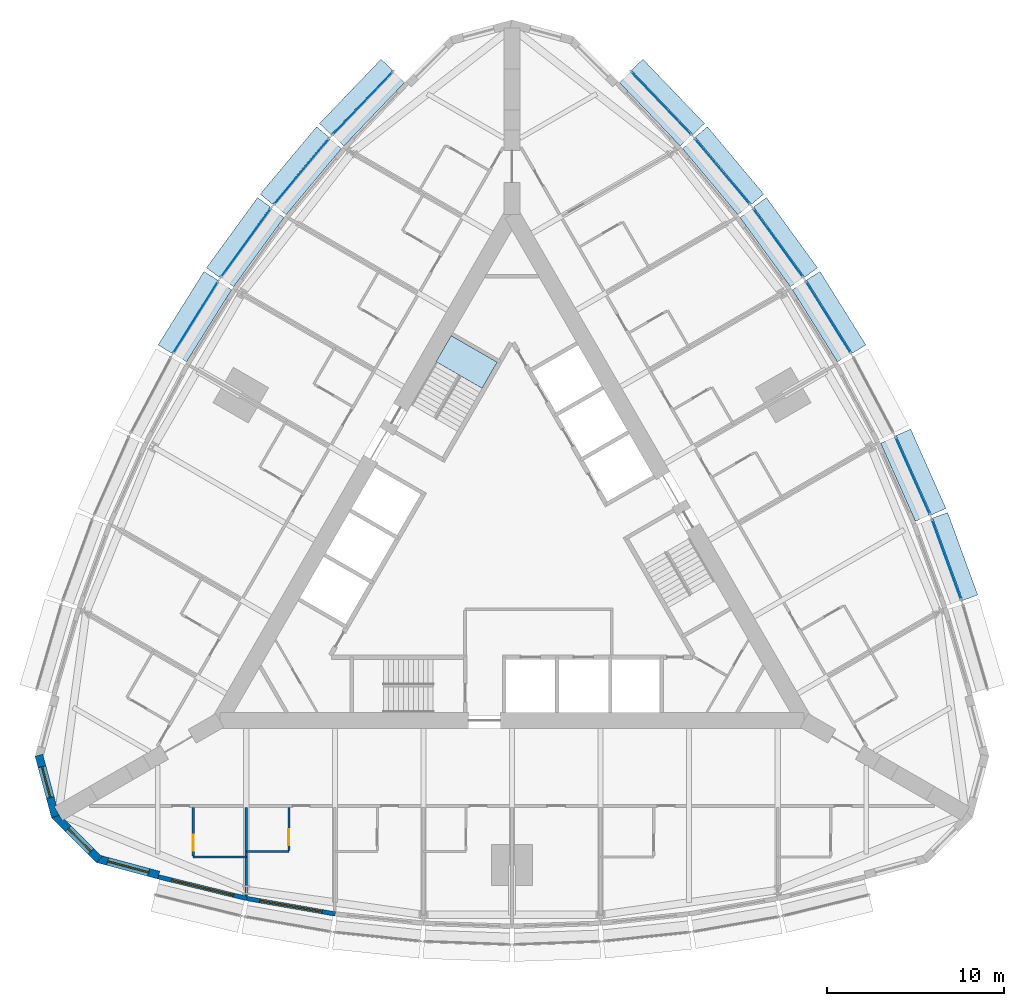
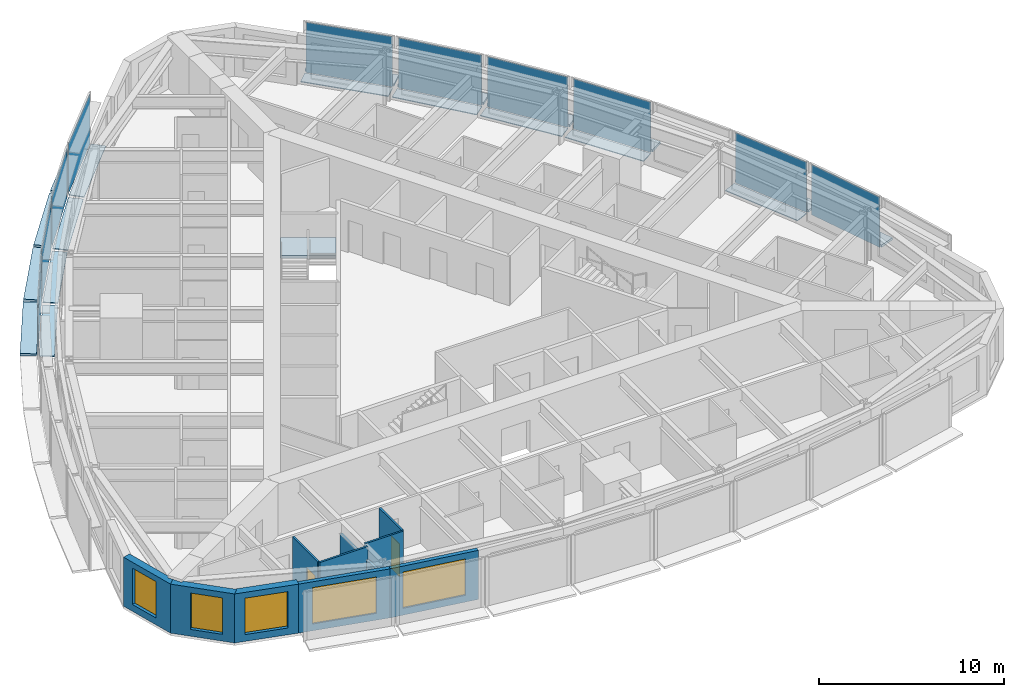
# One storey, part 7 of 14: 29 plates, 10 walls, 5 windows, 2 doors, 1 slab, 7 openings, 11 elements without a shape of their own.
"""IFC4 building model written with IfcOpenShell, lengths in metres."""

from ifc_helpers import new_model, si_unit, direction, frame, frame_2d, origin, origin_2d, place, context, subcontext, project, spatial, polyline, rectangle, outline, extrude, material, layer, layer_set, type_object, element, fill, aggregate, save


model = new_model("IFC4")

# Units and contexts
model_context = context("Model", 3, precision=1e-05, world=origin(), true_north=direction((0.0, 1.0)))
body_context = subcontext(model_context, "Body", "Model", "MODEL_VIEW")
ifc_project = project(units=[si_unit("LENGTHUNIT", "METRE"), si_unit("AREAUNIT", "SQUARE_METRE"), si_unit("VOLUMEUNIT", "CUBIC_METRE"), si_unit("PLANEANGLEUNIT", "RADIAN"), si_unit("MASSUNIT", "GRAM", prefix="KILO")], contexts=[model_context])

# Site, building, storey
site_placement = place(None, origin())
site = spatial("IfcSite", under=ifc_project, at=site_placement, CompositionType="ELEMENT")
building_placement = place(site_placement, origin())
building = spatial("IfcBuilding", under=site, at=building_placement, Name="Trikona Tower", CompositionType="ELEMENT")
storey_placement = place(building_placement, frame((0.0, 0.0, 121.5)))
storey = spatial("IfcBuildingStorey", under=building, at=storey_placement, Name="L31", CompositionType="ELEMENT", Elevation=121.5)

# Plates
ifc_material_1 = material(Name="Aluminium bar grating", Category="aluminium")
ifc_layer_1 = layer(ifc_material_1, 0.050048828125)
ifc_layer_set_1 = layer_set([ifc_layer_1], Name="Cavity catwalk grating")
plate_type_1 = type_object("IfcPlateType", Name="Cavity catwalk grating", PredefinedType="USERDEFINED", material=ifc_layer_set_1)
plate_1_placement = place(storey_placement, frame((22.175048828125, 4.092529296875, -0.0498046875), z_axis=(0.0, 0.0, 1.0), x_axis=(-0.406843467615, 0.913497888809, 0.0)))
element("IfcPlate", 1, at=plate_1_placement, inside=storey, type_object=plate_type_1, Name="Cavity catwalk L31-14", ObjectType="CATWALK GRATING", PredefinedType="USERDEFINED", context=body_context, shape_type="SweptSolid", body=[
    extrude(rectangle(XDim=4.827392578125, YDim=0.830078125, at=origin_2d()), origin(), (0.0, 0.0, 1.0), 0.050048828125),
])
plate_2_placement = place(storey_placement, frame((17.450927734375, 12.978759765625, -0.0498046875), z_axis=(0.0, 0.0, 1.0), x_axis=(-0.529994748414, 0.848000923734, 0.0)))
element("IfcPlate", 2, at=plate_2_placement, inside=storey, type_object=plate_type_1, Name="Cavity catwalk L31-16", ObjectType="CATWALK GRATING", PredefinedType="USERDEFINED", context=body_context, shape_type="SweptSolid", body=[
    extrude(rectangle(XDim=4.802978515625, YDim=0.830078125, at=origin_2d()), origin(), (0.0, 0.0, 1.0), 0.050048828125),
])
plate_3_placement = place(storey_placement, frame((14.6318359375, 17.157958984375, -0.0498046875), z_axis=(0.0, 0.0, 1.0), x_axis=(-0.587686407834, 0.809088799853, 0.0)))
element("IfcPlate", 3, at=plate_3_placement, inside=storey, type_object=plate_type_1, Name="Cavity catwalk L31-17", ObjectType="CATWALK GRATING", PredefinedType="USERDEFINED", context=body_context, shape_type="SweptSolid", body=[
    extrude(rectangle(XDim=4.827392578125, YDim=0.830078125, at=origin_2d()), origin(), (0.0, 0.0, 1.0), 0.050048828125),
])
plate_4_placement = place(storey_placement, frame((11.508056640625, 21.160400390625, -0.0498046875), z_axis=(0.0, 0.0, 1.0), x_axis=(-0.641807063101, 0.766866151133, 0.0)))
element("IfcPlate", 4, at=plate_4_placement, inside=storey, type_object=plate_type_1, Name="Cavity catwalk L31-18", ObjectType="CATWALK GRATING", PredefinedType="USERDEFINED", context=body_context, shape_type="SweptSolid", body=[
    extrude(rectangle(XDim=4.8759765625, YDim=0.830078125, at=origin_2d()), origin(), (0.0, 0.0, 1.0), 0.050048828125),
])
for number, where, z_axis, x_axis, name in (
    (5, (8.080078125, 24.986328125, -0.0498046875), (0.0, 0.0, 1.0), (-0.691723573819, 0.722162376078, 0.0), "Cavity catwalk L31-19"),
    (6, (-8.080078125, 24.986328125, -0.0498046875), (0.0, 0.0, 1.0), (-0.691723573819, -0.722162376078, 0.0), "Cavity catwalk L31-24"),
):
    element("IfcPlate", number, at=place(storey_placement, frame(where, z_axis=z_axis, x_axis=x_axis)), inside=storey, type_object=plate_type_1, Name=name, ObjectType="CATWALK GRATING", PredefinedType="USERDEFINED", context=body_context, shape_type="SweptSolid", body=[
        extrude(rectangle(XDim=4.947998046875, YDim=0.830078125, at=origin_2d()), origin(), (0.0, 0.0, 1.0), 0.050048828125),
    ])
plate_5_placement = place(storey_placement, frame((-11.508056640625, 21.160400390625, -0.0498046875), z_axis=(0.0, 0.0, 1.0), x_axis=(-0.641807063101, -0.766866151133, 0.0)))
element("IfcPlate", 7, at=plate_5_placement, inside=storey, type_object=plate_type_1, Name="Cavity catwalk L31-25", ObjectType="CATWALK GRATING", PredefinedType="USERDEFINED", context=body_context, shape_type="SweptSolid", body=[
    extrude(rectangle(XDim=4.8759765625, YDim=0.830078125, at=origin_2d()), origin(), (0.0, 0.0, 1.0), 0.050048828125),
])
plate_6_placement = place(storey_placement, frame((-14.6318359375, 17.157958984375, -0.0498046875), z_axis=(0.0, 0.0, 1.0), x_axis=(-0.587686407834, -0.809088799853, 0.0)))
element("IfcPlate", 8, at=plate_6_placement, inside=storey, type_object=plate_type_1, Name="Cavity catwalk L31-26", ObjectType="CATWALK GRATING", PredefinedType="USERDEFINED", context=body_context, shape_type="SweptSolid", body=[
    extrude(rectangle(XDim=4.827392578125, YDim=0.830078125, at=origin_2d()), origin(), (0.0, 0.0, 1.0), 0.050048828125),
])
plate_7_placement = place(storey_placement, frame((-17.450927734375, 12.978759765625, -0.0498046875), z_axis=(0.0, 0.0, 1.0), x_axis=(-0.529994748414, -0.848000923734, 0.0)))
element("IfcPlate", 9, at=plate_7_placement, inside=storey, type_object=plate_type_1, Name="Cavity catwalk L31-27", ObjectType="CATWALK GRATING", PredefinedType="USERDEFINED", context=body_context, shape_type="SweptSolid", body=[
    extrude(rectangle(XDim=4.802978515625, YDim=0.830078125, at=origin_2d()), origin(), (0.0, 0.0, 1.0), 0.050048828125),
])

# Curtain wall, plate
ifc_material_2 = material(Name="Aluminium curtain wall system", Category="aluminium")
curtain_wall_type = type_object("IfcCurtainWallType", Name="Curtain wall DS2", PredefinedType="NOTDEFINED", material=ifc_material_2)
curtain_wall_1_placement = place(storey_placement, origin())
curtain_wall_1 = element("IfcCurtainWall", 10, at=curtain_wall_1_placement, inside=storey, type_object=curtain_wall_type, Name="Curtain wall DS2 L31", PredefinedType="NOTDEFINED")
ifc_material_3 = material(Name="Laminated clear glass", Category="glass")
ifc_layer_2 = layer(ifc_material_3, 0.028076171875)
ifc_layer_set_2 = layer_set([ifc_layer_2], Name="Glass panel DS2")
plate_type_2 = type_object("IfcPlateType", Name="Glass panel DS2", PredefinedType="CURTAIN_PANEL", material=ifc_layer_set_2)
plate_8_placement = place(storey_placement, frame((24.53515625, -0.447509765625, 0.0), z_axis=(0.0, 0.0, 1.0), x_axis=(-0.343223420143, 0.939253790978, 0.0)))
plate_8 = element("IfcPlate", 11, at=plate_8_placement, type_object=plate_type_2, Name="CW-DS2 panel 1.1", PredefinedType="CURTAIN_PANEL", context=body_context, shape_type="SweptSolid", body=[
    extrude(rectangle(XDim=4.7958984375, YDim=0.028076171875, at=origin_2d()), origin(), (0.0, 0.0, 1.0), 3.320068359375),
])
aggregate(curtain_wall_1, [plate_8])

curtain_wall_2_placement = place(storey_placement, origin())
curtain_wall_2 = element("IfcCurtainWall", 12, at=curtain_wall_2_placement, inside=storey, type_object=curtain_wall_type, Name="Curtain wall DS2 L31", PredefinedType="NOTDEFINED")
plate_9_placement = place(storey_placement, frame((22.6181640625, 4.289794921875, 0.0), z_axis=(0.0, 0.0, 1.0), x_axis=(-0.406836013132, 0.913501208767, 0.0)))
plate_9 = element("IfcPlate", 13, at=plate_9_placement, type_object=plate_type_2, Name="CW-DS2 panel 1.1", PredefinedType="CURTAIN_PANEL", context=body_context, shape_type="SweptSolid", body=[
    extrude(rectangle(XDim=4.747314453125, YDim=0.028076171875, at=origin_2d()), origin(), (0.0, 0.0, 1.0), 3.320068359375),
])
aggregate(curtain_wall_2, [plate_9])

curtain_wall_3_placement = place(storey_placement, origin())
curtain_wall_3 = element("IfcCurtainWall", 14, at=curtain_wall_3_placement, inside=storey, type_object=curtain_wall_type, Name="Curtain wall DS2 L31", PredefinedType="NOTDEFINED")
plate_10_placement = place(storey_placement, frame((17.8623046875, 13.23583984375, 0.0), z_axis=(0.0, 0.0, 1.0), x_axis=(-0.529998940002, 0.847998304006, 0.0)))
plate_10 = element("IfcPlate", 15, at=plate_10_placement, type_object=plate_type_2, Name="CW-DS2 panel 1.1", PredefinedType="CURTAIN_PANEL", context=body_context, shape_type="SweptSolid", body=[
    extrude(rectangle(XDim=4.72314453125, YDim=0.028076171875, at=origin_2d()), origin(), (0.0, 0.0, 1.0), 3.320068359375),
])
aggregate(curtain_wall_3, [plate_10])

curtain_wall_4_placement = place(storey_placement, origin())
curtain_wall_4 = element("IfcCurtainWall", 16, at=curtain_wall_4_placement, inside=storey, type_object=curtain_wall_type, Name="Curtain wall DS2 L31", PredefinedType="NOTDEFINED")
plate_11_placement = place(storey_placement, frame((15.024169921875, 17.443115234375, 0.0), z_axis=(0.0, 0.0, 1.0), x_axis=(-0.587690588313, 0.80908576332, 0.0)))
plate_11 = element("IfcPlate", 17, at=plate_11_placement, type_object=plate_type_2, Name="CW-DS2 panel 1.1", PredefinedType="CURTAIN_PANEL", context=body_context, shape_type="SweptSolid", body=[
    extrude(rectangle(XDim=4.74755859375, YDim=0.028076171875, at=origin_2d()), origin(), (0.0, 0.0, 1.0), 3.320068359375),
])
aggregate(curtain_wall_4, [plate_11])

curtain_wall_5_placement = place(storey_placement, origin())
curtain_wall_5 = element("IfcCurtainWall", 18, at=curtain_wall_5_placement, inside=storey, type_object=curtain_wall_type, Name="Curtain wall DS2 L31", PredefinedType="NOTDEFINED")
plate_12_placement = place(storey_placement, frame((11.8798828125, 21.4716796875, 0.0), z_axis=(0.0, 0.0, 1.0), x_axis=(-0.641806433248, 0.766866678271, 0.0)))
plate_12 = element("IfcPlate", 19, at=plate_12_placement, type_object=plate_type_2, Name="CW-DS2 panel 1.1", PredefinedType="CURTAIN_PANEL", context=body_context, shape_type="SweptSolid", body=[
    extrude(rectangle(XDim=4.7958984375, YDim=0.028076171875, at=origin_2d()), origin(), (0.0, 0.0, 1.0), 3.320068359375),
])
aggregate(curtain_wall_5, [plate_12])

curtain_wall_6_placement = place(storey_placement, origin())
curtain_wall_6 = element("IfcCurtainWall", 20, at=curtain_wall_6_placement, inside=storey, type_object=curtain_wall_type, Name="Curtain wall DS2 L31", PredefinedType="NOTDEFINED")
plate_13_placement = place(storey_placement, frame((8.430419921875, 25.32177734375, 0.0), z_axis=(0.0, 0.0, 1.0), x_axis=(-0.691727797117, 0.722158330767, 0.0)))
plate_13 = element("IfcPlate", 21, at=plate_13_placement, type_object=plate_type_2, Name="CW-DS2 panel 1.1", PredefinedType="CURTAIN_PANEL", context=body_context, shape_type="SweptSolid", body=[
    extrude(rectangle(XDim=4.867919921875, YDim=0.028076171875, at=origin_2d()), origin(), (0.0, 0.0, 1.0), 3.320068359375),
])
aggregate(curtain_wall_6, [plate_13])

curtain_wall_7_placement = place(storey_placement, origin())
curtain_wall_7 = element("IfcCurtainWall", 22, at=curtain_wall_7_placement, inside=storey, type_object=curtain_wall_type, Name="Curtain wall DS2 L31", PredefinedType="NOTDEFINED")
plate_14_placement = place(storey_placement, frame((-8.430419921875, 25.32177734375, 0.0), z_axis=(0.0, 0.0, 1.0), x_axis=(-0.691727797117, -0.722158330767, 0.0)))
plate_14 = element("IfcPlate", 23, at=plate_14_placement, type_object=plate_type_2, Name="CW-DS2 panel 1.1", PredefinedType="CURTAIN_PANEL", context=body_context, shape_type="SweptSolid", body=[
    extrude(rectangle(XDim=4.867919921875, YDim=0.028076171875, at=origin_2d()), origin(), (0.0, 0.0, 1.0), 3.320068359375),
])
aggregate(curtain_wall_7, [plate_14])

curtain_wall_8_placement = place(storey_placement, origin())
curtain_wall_8 = element("IfcCurtainWall", 24, at=curtain_wall_8_placement, inside=storey, type_object=curtain_wall_type, Name="Curtain wall DS2 L31", PredefinedType="NOTDEFINED")
plate_15_placement = place(storey_placement, frame((-11.8798828125, 21.4716796875, 0.0), z_axis=(0.0, 0.0, 1.0), x_axis=(-0.641806433248, -0.766866678271, 0.0)))
plate_15 = element("IfcPlate", 25, at=plate_15_placement, type_object=plate_type_2, Name="CW-DS2 panel 1.1", PredefinedType="CURTAIN_PANEL", context=body_context, shape_type="SweptSolid", body=[
    extrude(rectangle(XDim=4.7958984375, YDim=0.028076171875, at=origin_2d()), origin(), (0.0, 0.0, 1.0), 3.320068359375),
])
aggregate(curtain_wall_8, [plate_15])

curtain_wall_9_placement = place(storey_placement, origin())
curtain_wall_9 = element("IfcCurtainWall", 26, at=curtain_wall_9_placement, inside=storey, type_object=curtain_wall_type, Name="Curtain wall DS2 L31", PredefinedType="NOTDEFINED")
plate_16_placement = place(storey_placement, frame((-15.024169921875, 17.443115234375, 0.0), z_axis=(0.0, 0.0, 1.0), x_axis=(-0.587690588313, -0.80908576332, 0.0)))
plate_16 = element("IfcPlate", 27, at=plate_16_placement, type_object=plate_type_2, Name="CW-DS2 panel 1.1", PredefinedType="CURTAIN_PANEL", context=body_context, shape_type="SweptSolid", body=[
    extrude(rectangle(XDim=4.74755859375, YDim=0.028076171875, at=origin_2d()), origin(), (0.0, 0.0, 1.0), 3.320068359375),
])
aggregate(curtain_wall_9, [plate_16])

curtain_wall_10_placement = place(storey_placement, origin())
curtain_wall_10 = element("IfcCurtainWall", 28, at=curtain_wall_10_placement, inside=storey, type_object=curtain_wall_type, Name="Curtain wall DS2 L31", PredefinedType="NOTDEFINED")
plate_17_placement = place(storey_placement, frame((-17.8623046875, 13.23583984375, 0.0), z_axis=(0.0, 0.0, 1.0), x_axis=(-0.529998940002, -0.847998304006, 0.0)))
plate_17 = element("IfcPlate", 29, at=plate_17_placement, type_object=plate_type_2, Name="CW-DS2 panel 1.1", PredefinedType="CURTAIN_PANEL", context=body_context, shape_type="SweptSolid", body=[
    extrude(rectangle(XDim=4.72314453125, YDim=0.028076171875, at=origin_2d()), origin(), (0.0, 0.0, 1.0), 3.320068359375),
])
aggregate(curtain_wall_10, [plate_17])

# Plates
ifc_material_4 = material(Name="Aluminium plate fin, pale anodised, on stainless steel outriggers", Category="steel")
ifc_layer_3 = layer(ifc_material_4, 0.14990234375)
ifc_layer_set_3 = layer_set([ifc_layer_3], Name="Outer skin fin 900")
plate_type_3 = type_object("IfcPlateType", Name="Outer skin fin 900", PredefinedType="USERDEFINED", material=ifc_layer_set_3)
plate_18_placement = place(storey_placement, frame((25.0234375, -0.26904296875, 0.0), z_axis=(0.0, 0.0, 1.0), x_axis=(-0.343220397324, 0.939254895575, 0.0)))
element("IfcPlate", 30, at=plate_18_placement, inside=storey, type_object=plate_type_3, Name="Outer skin fin L31-13", ObjectType="FIN", PredefinedType="USERDEFINED", context=body_context, shape_type="SweptSolid", body=[
    extrude(rectangle(XDim=4.9560546875, YDim=0.89990234375, at=origin_2d()), origin(), (0.0, 0.0, 1.0), 0.14990234375),
])
plate_19_placement = place(storey_placement, frame((23.09326171875, 4.50146484375, 0.0), z_axis=(0.0, 0.0, 1.0), x_axis=(-0.406843467615, 0.913497888809, 0.0)))
element("IfcPlate", 31, at=plate_19_placement, inside=storey, type_object=plate_type_3, Name="Outer skin fin L31-14", ObjectType="FIN", PredefinedType="USERDEFINED", context=body_context, shape_type="SweptSolid", body=[
    extrude(rectangle(XDim=4.907470703125, YDim=0.89990234375, at=origin_2d()), origin(), (0.0, 0.0, 1.0), 0.14990234375),
])
plate_20_placement = place(storey_placement, frame((18.30322265625, 13.511474609375, 0.0), z_axis=(0.0, 0.0, 1.0), x_axis=(-0.529994748414, 0.848000923734, 0.0)))
element("IfcPlate", 32, at=plate_20_placement, inside=storey, type_object=plate_type_3, Name="Outer skin fin L31-16", ObjectType="FIN", PredefinedType="USERDEFINED", context=body_context, shape_type="SweptSolid", body=[
    extrude(rectangle(XDim=4.883056640625, YDim=0.89990234375, at=origin_2d()), origin(), (0.0, 0.0, 1.0), 0.14990234375),
])
plate_21_placement = place(storey_placement, frame((15.44482421875, 17.74853515625, 0.0), z_axis=(0.0, 0.0, 1.0), x_axis=(-0.587686407834, 0.809088799853, 0.0)))
element("IfcPlate", 33, at=plate_21_placement, inside=storey, type_object=plate_type_3, Name="Outer skin fin L31-17", ObjectType="FIN", PredefinedType="USERDEFINED", context=body_context, shape_type="SweptSolid", body=[
    extrude(rectangle(XDim=4.907470703125, YDim=0.89990234375, at=origin_2d()), origin(), (0.0, 0.0, 1.0), 0.14990234375),
])
plate_22_placement = place(storey_placement, frame((12.27880859375, 21.8056640625, 0.0), z_axis=(0.0, 0.0, 1.0), x_axis=(-0.641807063101, 0.766866151133, 0.0)))
element("IfcPlate", 34, at=plate_22_placement, inside=storey, type_object=plate_type_3, Name="Outer skin fin L31-18", ObjectType="FIN", PredefinedType="USERDEFINED", context=body_context, shape_type="SweptSolid", body=[
    extrude(rectangle(XDim=4.9560546875, YDim=0.89990234375, at=origin_2d()), origin(), (0.0, 0.0, 1.0), 0.14990234375),
])
for number, where, z_axis, x_axis, name in (
    (35, (8.805908203125, 25.681396484375, 0.0), (0.0, 0.0, 1.0), (-0.691723573819, 0.722162376078, 0.0), "Outer skin fin L31-19"),
    (36, (-8.805908203125, 25.681396484375, 0.0), (0.0, 0.0, 1.0), (-0.691723573819, -0.722162376078, 0.0), "Outer skin fin L31-24"),
):
    element("IfcPlate", number, at=place(storey_placement, frame(where, z_axis=z_axis, x_axis=x_axis)), inside=storey, type_object=plate_type_3, Name=name, ObjectType="FIN", PredefinedType="USERDEFINED", context=body_context, shape_type="SweptSolid", body=[
        extrude(rectangle(XDim=5.02783203125, YDim=0.89990234375, at=origin_2d()), origin(), (0.0, 0.0, 1.0), 0.14990234375),
    ])
plate_23_placement = place(storey_placement, frame((-12.27880859375, 21.8056640625, 0.0), z_axis=(0.0, 0.0, 1.0), x_axis=(-0.641807063101, -0.766866151133, 0.0)))
element("IfcPlate", 37, at=plate_23_placement, inside=storey, type_object=plate_type_3, Name="Outer skin fin L31-25", ObjectType="FIN", PredefinedType="USERDEFINED", context=body_context, shape_type="SweptSolid", body=[
    extrude(rectangle(XDim=4.9560546875, YDim=0.89990234375, at=origin_2d()), origin(), (0.0, 0.0, 1.0), 0.14990234375),
])
plate_24_placement = place(storey_placement, frame((-15.44482421875, 17.74853515625, 0.0), z_axis=(0.0, 0.0, 1.0), x_axis=(-0.587686407834, -0.809088799853, 0.0)))
element("IfcPlate", 38, at=plate_24_placement, inside=storey, type_object=plate_type_3, Name="Outer skin fin L31-26", ObjectType="FIN", PredefinedType="USERDEFINED", context=body_context, shape_type="SweptSolid", body=[
    extrude(rectangle(XDim=4.907470703125, YDim=0.89990234375, at=origin_2d()), origin(), (0.0, 0.0, 1.0), 0.14990234375),
])
plate_25_placement = place(storey_placement, frame((-18.30322265625, 13.511474609375, 0.0), z_axis=(0.0, 0.0, 1.0), x_axis=(-0.529994748414, -0.848000923734, 0.0)))
element("IfcPlate", 39, at=plate_25_placement, inside=storey, type_object=plate_type_3, Name="Outer skin fin L31-27", ObjectType="FIN", PredefinedType="USERDEFINED", context=body_context, shape_type="SweptSolid", body=[
    extrude(rectangle(XDim=4.883056640625, YDim=0.89990234375, at=origin_2d()), origin(), (0.0, 0.0, 1.0), 0.14990234375),
])

# Stair, slab
ifc_material_5 = material(Name="Concrete f'c 5000 psi", Category="concrete")
stair_type = type_object("IfcStairType", Name="Core stair", PredefinedType="HALF_TURN_STAIR", material=ifc_material_5)
stair_placement = place(storey_placement, origin())
stair = element("IfcStair", 40, at=stair_placement, inside=storey, type_object=stair_type, Name="Stair C L31", PredefinedType="HALF_TURN_STAIR")
ifc_material_6 = material(Name="Concrete f'c 5000 psi", Category="concrete")
ifc_layer_4 = layer(ifc_material_6, 0.199951171875)
ifc_layer_set_4 = layer_set([ifc_layer_4], Name="Stair landing 200")
slab_type = type_object("IfcSlabType", Name="Stair landing 200", PredefinedType="LANDING", material=ifc_layer_set_4)
slab_placement = place(storey_placement, frame((0.0, 0.0, 1.5)))
slab = element("IfcSlab", 41, at=slab_placement, type_object=slab_type, Name="ST-C landing 2", PredefinedType="LANDING", context=body_context, shape_type="SweptSolid", body=[
    extrude(outline(polyline([(-0.837158203125, 10.702392578125), (-1.688720703125, 9.2275390625), (-4.286865234375, 10.7275390625), (-3.435302734375, 12.202392578125), (-0.837158203125, 10.702392578125)])), origin(), (0.0, 0.0, 1.0), 0.199951171875),
])
aggregate(stair, [slab])

# Wall
ifc_material_7 = material(Name="Metal stud and cement board", Category="gypsum")
ifc_layer_5 = layer(ifc_material_7, 0.1201171875)
ifc_layer_set_5 = layer_set([ifc_layer_5], Name="Bathroom wall 120")
wall_type_1 = type_object("IfcWallType", Name="Bathroom wall 120", PredefinedType="PLUMBINGWALL", material=ifc_layer_set_5)
wall_1_placement = place(storey_placement, frame((-18.0, -17.226318359375, 0.0), z_axis=(0.0, 0.0, 1.0), x_axis=(1.0, 0.0, 0.0)))
element("IfcWall", 42, at=wall_1_placement, inside=storey, type_object=wall_type_1, Name="Bathroom wall 3101", PredefinedType="PLUMBINGWALL", context=body_context, shape_type="SweptSolid", body=[
    extrude(rectangle(XDim=3.0, YDim=0.1201171875, at=frame_2d((1.5, 0.0))), origin(), (0.0, 0.0, 1.0), 3.235107421875),
])

# Wall, opening, door
wall_2_placement = place(storey_placement, frame((-18.0, -14.42626953125, 0.0), z_axis=(0.0, 0.0, 1.0), x_axis=(0.0, -1.0, 0.0)))
wall_2 = element("IfcWall", 43, at=wall_2_placement, inside=storey, type_object=wall_type_1, Name="Bathroom wall 3101", PredefinedType="PLUMBINGWALL", context=body_context, shape_type="SweptSolid", body=[
    extrude(rectangle(XDim=2.739990234375, YDim=0.1201171875, at=frame_2d((1.3701171875, 0.0))), origin(), (0.0, 0.0, 1.0), 3.235107421875),
])
opening_1_placement = place(wall_2_placement, frame((1.550048828125, 0.0, 0.0)))
opening_1 = element("IfcOpeningElement", 44, at=opening_1_placement, cuts=wall_2, Name="Opening D2", PredefinedType="OPENING", context=body_context, shape_type="SweptSolid", body=[
    extrude(rectangle(XDim=0.89990234375, YDim=2.1298828125, at=frame_2d((0.449951171875, 1.06494140625))), frame((0.0, 0.070068359375, 0.0), z_axis=(0.0, -1.0, 0.0), x_axis=(1.0, 0.0, 0.0)), (0.0, 0.0, 1.0), 0.14013671875),
])
ifc_material_8 = material(Name="Steel door frame with solid-core timber leaf", Category="steel")
door_type = type_object("IfcDoorType", Name="Bathroom door 900x2130", OperationType="SLIDING_TO_LEFT", PredefinedType="DOOR", material=ifc_material_8)
door_1_placement = place(opening_1_placement, origin())
door_1 = element("IfcDoor", 45, at=door_1_placement, inside=storey, type_object=door_type, Name="Bathroom door 3101", OperationType="SLIDING_TO_LEFT", OverallHeight=2.1298828125, OverallWidth=0.89990234375, PredefinedType="DOOR", context=body_context, shape_type="SweptSolid", body=[
    extrude(rectangle(XDim=0.89990234375, YDim=2.1298828125, at=frame_2d((0.449951171875, 1.06494140625))), frame((0.0, 0.02490234375, 0.0), z_axis=(0.0, -1.0, 0.0), x_axis=(1.0, 0.0, 0.0)), (0.0, 0.0, 1.0), 0.050048828125),
])
fill(opening_1, door_1)

# Wall
wall_3_placement = place(storey_placement, frame((-15.0, -16.92626953125, 0.0), z_axis=(0.0, 0.0, 1.0), x_axis=(1.0, 0.0, 0.0)))
element("IfcWall", 46, at=wall_3_placement, inside=storey, type_object=wall_type_1, Name="Bathroom wall 3102", PredefinedType="PLUMBINGWALL", context=body_context, shape_type="SweptSolid", body=[
    extrude(rectangle(XDim=2.39990234375, YDim=0.1201171875, at=frame_2d((1.199951171875, 0.0))), origin(), (0.0, 0.0, 1.0), 3.235107421875),
])

# Wall, opening, door
wall_4_placement = place(storey_placement, frame((-12.60009765625, -14.42626953125, 0.0), z_axis=(0.0, 0.0, 1.0), x_axis=(0.0, -1.0, 0.0)))
wall_4 = element("IfcWall", 47, at=wall_4_placement, inside=storey, type_object=wall_type_1, Name="Bathroom wall 3102", PredefinedType="PLUMBINGWALL", context=body_context, shape_type="SweptSolid", body=[
    extrude(rectangle(XDim=2.43994140625, YDim=0.1201171875, at=frame_2d((1.219970703125, 0.0))), origin(), (0.0, 0.0, 1.0), 3.235107421875),
])
opening_2_placement = place(wall_4_placement, frame((1.25, 0.0, 0.0)))
opening_2 = element("IfcOpeningElement", 48, at=opening_2_placement, cuts=wall_4, Name="Opening D2", PredefinedType="OPENING", context=body_context, shape_type="SweptSolid", body=[
    extrude(rectangle(XDim=0.89990234375, YDim=2.1298828125, at=frame_2d((0.449951171875, 1.06494140625))), frame((0.0, 0.070068359375, 0.0), z_axis=(0.0, -1.0, 0.0), x_axis=(1.0, 0.0, 0.0)), (0.0, 0.0, 1.0), 0.14013671875),
])
door_2_placement = place(opening_2_placement, origin())
door_2 = element("IfcDoor", 49, at=door_2_placement, inside=storey, type_object=door_type, Name="Bathroom door 3102", OperationType="SLIDING_TO_LEFT", OverallHeight=2.1298828125, OverallWidth=0.89990234375, PredefinedType="DOOR", context=body_context, shape_type="SweptSolid", body=[
    extrude(rectangle(XDim=0.89990234375, YDim=2.1298828125, at=frame_2d((0.449951171875, 1.06494140625))), frame((0.0, 0.02490234375, 0.0), z_axis=(0.0, -1.0, 0.0), x_axis=(1.0, 0.0, 0.0)), (0.0, 0.0, 1.0), 0.050048828125),
])
fill(opening_2, door_2)

# Wall, opening, window
ifc_material_9 = material(Name="Brick-faced precast concrete", Category="masonry")
ifc_layer_6 = layer(ifc_material_9, 0.449951171875)
ifc_layer_set_6 = layer_set([ifc_layer_6], Name="Brick-faced corner wall 450")
wall_type_2 = type_object("IfcWallType", Name="Brick-faced corner wall 450", PredefinedType="SOLIDWALL", material=ifc_layer_set_6)
wall_5_placement = place(storey_placement, frame((-26.7109375, -11.48876953125, 0.0), z_axis=(0.0, 0.0, 1.0), x_axis=(0.258823421857, -0.965924653531, 0.0)))
wall_5 = element("IfcWall", 50, at=wall_5_placement, inside=storey, type_object=wall_type_2, Name="External wall L31-33", PredefinedType="SOLIDWALL", context=body_context, shape_type="SweptSolid", body=[
    extrude(outline(polyline([(3.58642578125, 0.22509765625), (3.52685546875, 0.22509765625), (3.03515625, 0.09326171875), (3.0, 0.22509765625), (0.0, 0.22509765625), (0.0, -0.22509765625), (3.58642578125, -0.22509765625), (3.58642578125, 0.22509765625)])), origin(), (0.0, 0.0, 1.0), 3.235107421875),
])
opening_3_placement = place(wall_5_placement, frame((0.6748046875, 0.0, 0.449951171875)))
opening_3 = element("IfcOpeningElement", 51, at=opening_3_placement, cuts=wall_5, Name="Opening W1824", PredefinedType="OPENING", context=body_context, shape_type="SweptSolid", body=[
    extrude(rectangle(XDim=1.800048828125, YDim=2.39990234375, at=frame_2d((0.89990234375, 1.199951171875))), frame((0.0, 0.23486328125, 0.0), z_axis=(0.0, -1.0, 0.0), x_axis=(1.0, 0.0, 0.0)), (0.0, 0.0, 1.0), 0.469970703125),
])
ifc_material_10 = material(Name="Aluminium-framed double glazing", Category="aluminium")
window_type_1 = type_object("IfcWindowType", Name="Window 1800x2400", PartitioningType="SINGLE_PANEL", PredefinedType="WINDOW", material=ifc_material_10)
window_1_placement = place(opening_3_placement, origin())
window_1 = element("IfcWindow", 52, at=window_1_placement, inside=storey, type_object=window_type_1, Name="Window 3119", OverallHeight=2.39990234375, OverallWidth=1.800048828125, PartitioningType="SINGLE_PANEL", PredefinedType="WINDOW", context=body_context, shape_type="SweptSolid", body=[
    extrude(rectangle(XDim=1.800048828125, YDim=2.39990234375, at=frame_2d((0.89990234375, 1.199951171875))), frame((0.0, 0.030029296875, 0.0), z_axis=(0.0, -1.0, 0.0), x_axis=(1.0, 0.0, 0.0)), (0.0, 0.0, 1.0), 0.06005859375),
])
fill(opening_3, window_1)

wall_6_placement = place(storey_placement, frame((-25.8408203125, -14.85205078125, 0.0), z_axis=(0.0, 0.0, 1.0), x_axis=(0.707106781187, -0.707106781187, 0.0)))
wall_6 = element("IfcWall", 53, at=wall_6_placement, inside=storey, type_object=wall_type_2, Name="External wall L31-34", PredefinedType="SOLIDWALL", context=body_context, shape_type="SweptSolid", body=[
    extrude(outline(polyline([(3.586181640625, 0.22509765625), (0.58642578125, 0.22509765625), (0.551025390625, 0.09326171875), (0.05908203125, 0.22509765625), (0.0, 0.22509765625), (0.0, -0.22509765625), (3.586181640625, -0.22509765625), (3.586181640625, 0.22509765625)])), origin(), (0.0, 0.0, 1.0), 3.235107421875),
])
opening_4_placement = place(wall_6_placement, frame((1.111328125, 0.0, 0.449951171875)))
opening_4 = element("IfcOpeningElement", 54, at=opening_4_placement, cuts=wall_6, Name="Opening W1824", PredefinedType="OPENING", context=body_context, shape_type="SweptSolid", body=[
    extrude(rectangle(XDim=1.800048828125, YDim=2.39990234375, at=frame_2d((0.89990234375, 1.199951171875))), frame((0.0, 0.23486328125, 0.0), z_axis=(0.0, -1.0, 0.0), x_axis=(1.0, 0.0, 0.0)), (0.0, 0.0, 1.0), 0.469970703125),
])
window_2_placement = place(opening_4_placement, origin())
window_2 = element("IfcWindow", 55, at=window_2_placement, inside=storey, type_object=window_type_1, Name="Window 3101", OverallHeight=2.39990234375, OverallWidth=1.800048828125, PartitioningType="SINGLE_PANEL", PredefinedType="WINDOW", context=body_context, shape_type="SweptSolid", body=[
    extrude(rectangle(XDim=1.800048828125, YDim=2.39990234375, at=frame_2d((0.89990234375, 1.199951171875))), frame((0.0, 0.030029296875, 0.0), z_axis=(0.0, -1.0, 0.0), x_axis=(1.0, 0.0, 0.0)), (0.0, 0.0, 1.0), 0.06005859375),
])
fill(opening_4, window_2)

wall_7_placement = place(storey_placement, frame((-23.406005859375, -17.32958984375, 0.0), z_axis=(0.0, 0.0, 1.0), x_axis=(0.965924653531, -0.258823421857, 0.0)))
wall_7 = element("IfcWall", 56, at=wall_7_placement, inside=storey, type_object=wall_type_2, Name="External wall L31-35", PredefinedType="SOLIDWALL", context=body_context, shape_type="SweptSolid", body=[
    extrude(rectangle(XDim=3.58642578125, YDim=0.449951171875, at=frame_2d((1.793212890625, 0.0))), origin(), (0.0, 0.0, 1.0), 3.235107421875),
])
opening_5_placement = place(wall_7_placement, frame((0.593017578125, 0.0, 0.449951171875)))
opening_5 = element("IfcOpeningElement", 57, at=opening_5_placement, cuts=wall_7, Name="Opening W2424", PredefinedType="OPENING", context=body_context, shape_type="SweptSolid", body=[
    extrude(rectangle(XDim=2.39990234375, YDim=2.39990234375, at=frame_2d((1.199951171875, 1.199951171875))), frame((0.0, 0.23486328125, 0.0), z_axis=(0.0, -1.0, 0.0), x_axis=(1.0, 0.0, 0.0)), (0.0, 0.0, 1.0), 0.469970703125),
])
ifc_material_11 = material(Name="Aluminium-framed double glazing", Category="aluminium")
window_type_2 = type_object("IfcWindowType", Name="Window 2400x2400", PartitioningType="SINGLE_PANEL", PredefinedType="WINDOW", material=ifc_material_11)
window_3_placement = place(opening_5_placement, origin())
window_3 = element("IfcWindow", 58, at=window_3_placement, inside=storey, type_object=window_type_2, Name="Window 3101", OverallHeight=2.39990234375, OverallWidth=2.39990234375, PartitioningType="SINGLE_PANEL", PredefinedType="WINDOW", context=body_context, shape_type="SweptSolid", body=[
    extrude(rectangle(XDim=2.39990234375, YDim=2.39990234375, at=frame_2d((1.199951171875, 1.199951171875))), frame((0.0, 0.030029296875, 0.0), z_axis=(0.0, -1.0, 0.0), x_axis=(1.0, 0.0, 0.0)), (0.0, 0.0, 1.0), 0.06005859375),
])
fill(opening_5, window_3)

ifc_material_12 = material(Name="Insulated precast concrete spandrel panel", Category="concrete")
ifc_layer_7 = layer(ifc_material_12, 0.25)
ifc_layer_set_7 = layer_set([ifc_layer_7], Name="Inner skin wall 250")
wall_type_3 = type_object("IfcWallType", Name="Inner skin wall 250", PredefinedType="STANDARD", material=ifc_layer_set_7)
wall_8_placement = place(storey_placement, frame((-19.97021484375, -18.353759765625, 0.0), z_axis=(0.0, 0.0, 1.0), x_axis=(0.971270024053, -0.237980126011, 0.0)))
wall_8 = element("IfcWall", 59, at=wall_8_placement, inside=storey, type_object=wall_type_3, Name="External wall L31-00", PredefinedType="STANDARD", context=body_context, shape_type="SweptSolid", body=[
    extrude(rectangle(XDim=5.14794921875, YDim=0.25, at=frame_2d((2.573974609375, 0.0))), origin(), (0.0, 0.0, 1.0), 3.235107421875),
])
opening_6_placement = place(wall_8_placement, frame((0.77392578125, 0.0, 0.449951171875)))
opening_6 = element("IfcOpeningElement", 60, at=opening_6_placement, cuts=wall_8, Name="Opening W3624", PredefinedType="OPENING", context=body_context, shape_type="SweptSolid", body=[
    extrude(rectangle(XDim=3.60009765625, YDim=2.39990234375, at=frame_2d((1.800048828125, 1.199951171875))), frame((0.0, 0.135009765625, 0.0), z_axis=(0.0, -1.0, 0.0), x_axis=(1.0, 0.0, 0.0)), (0.0, 0.0, 1.0), 0.27001953125),
])
ifc_material_13 = material(Name="Aluminium-framed double glazing", Category="aluminium")
window_type_3 = type_object("IfcWindowType", Name="Window 3600x2400", PartitioningType="SINGLE_PANEL", PredefinedType="WINDOW", material=ifc_material_13)
window_4_placement = place(opening_6_placement, origin())
window_4 = element("IfcWindow", 61, at=window_4_placement, inside=storey, type_object=window_type_3, Name="Window 3101", OverallHeight=2.39990234375, OverallWidth=3.60009765625, PartitioningType="SINGLE_PANEL", PredefinedType="WINDOW", context=body_context, shape_type="SweptSolid", body=[
    extrude(rectangle(XDim=3.60009765625, YDim=2.39990234375, at=frame_2d((1.800048828125, 1.199951171875))), frame((0.0, 0.030029296875, 0.0), z_axis=(0.0, -1.0, 0.0), x_axis=(1.0, 0.0, 0.0)), (0.0, 0.0, 1.0), 0.06005859375),
])
fill(opening_6, window_4)

wall_9_placement = place(storey_placement, frame((-14.978515625, -19.5771484375, 0.0), z_axis=(0.0, 0.0, 1.0), x_axis=(0.985030467156, -0.172380331752, 0.0)))
wall_9 = element("IfcWall", 62, at=wall_9_placement, inside=storey, type_object=wall_type_3, Name="External wall L31-01", PredefinedType="STANDARD", context=body_context, shape_type="SweptSolid", body=[
    extrude(rectangle(XDim=5.075927734375, YDim=0.25, at=frame_2d((2.5380859375, 0.0))), origin(), (0.0, 0.0, 1.0), 3.235107421875),
])
opening_7_placement = place(wall_9_placement, frame((0.738037109375, 0.0, 0.449951171875)))
opening_7 = element("IfcOpeningElement", 63, at=opening_7_placement, cuts=wall_9, Name="Opening W3624", PredefinedType="OPENING", context=body_context, shape_type="SweptSolid", body=[
    extrude(rectangle(XDim=3.60009765625, YDim=2.39990234375, at=frame_2d((1.800048828125, 1.199951171875))), frame((0.0, 0.135009765625, 0.0), z_axis=(0.0, -1.0, 0.0), x_axis=(1.0, 0.0, 0.0)), (0.0, 0.0, 1.0), 0.27001953125),
])
window_5_placement = place(opening_7_placement, origin())
window_5 = element("IfcWindow", 64, at=window_5_placement, inside=storey, type_object=window_type_3, Name="Window 3102", OverallHeight=2.39990234375, OverallWidth=3.60009765625, PartitioningType="SINGLE_PANEL", PredefinedType="WINDOW", context=body_context, shape_type="SweptSolid", body=[
    extrude(rectangle(XDim=3.60009765625, YDim=2.39990234375, at=frame_2d((1.800048828125, 1.199951171875))), frame((0.0, 0.030029296875, 0.0), z_axis=(0.0, -1.0, 0.0), x_axis=(1.0, 0.0, 0.0)), (0.0, 0.0, 1.0), 0.06005859375),
])
fill(opening_7, window_5)

# Wall
ifc_material_14 = material(Name="Metal stud and gypsum board, 1-hour acoustic", Category="gypsum")
ifc_layer_8 = layer(ifc_material_14, 0.14990234375)
ifc_layer_set_8 = layer_set([ifc_layer_8], Name="Party wall 150")
wall_type_4 = type_object("IfcWallType", Name="Party wall 150", PredefinedType="PARTITIONING", material=ifc_layer_set_8)
wall_10_placement = place(storey_placement, frame((-15.0, -14.42626953125, 0.0), z_axis=(0.0, 0.0, 1.0), x_axis=(0.0, -1.0, 0.0)))
element("IfcWall", 65, at=wall_10_placement, inside=storey, type_object=wall_type_4, Name="Partition L31 F1 u-15", PredefinedType="PARTITIONING", context=body_context, shape_type="SweptSolid", body=[
    extrude(rectangle(XDim=5.0166015625, YDim=0.14990234375, at=frame_2d((2.50830078125, 0.0))), origin(), (0.0, 0.0, 1.0), 2.38916015625),
])

save(model, "model.ifc")
